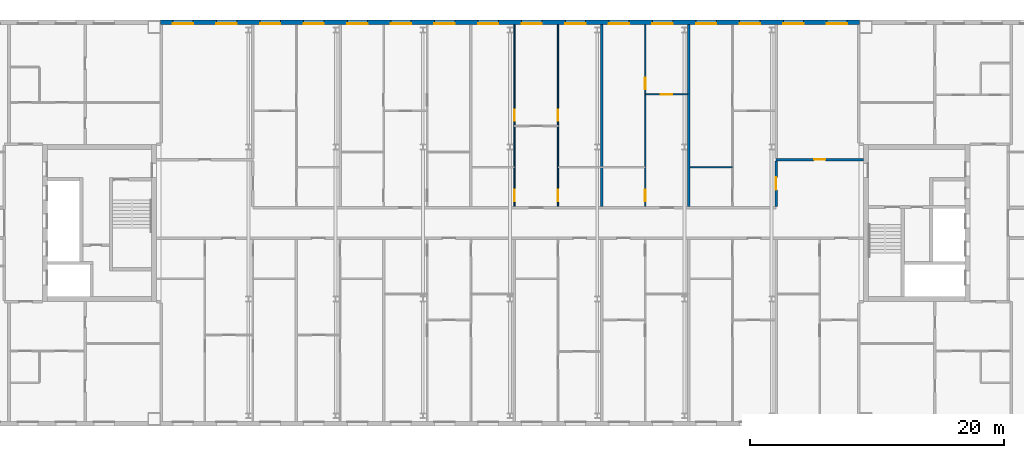
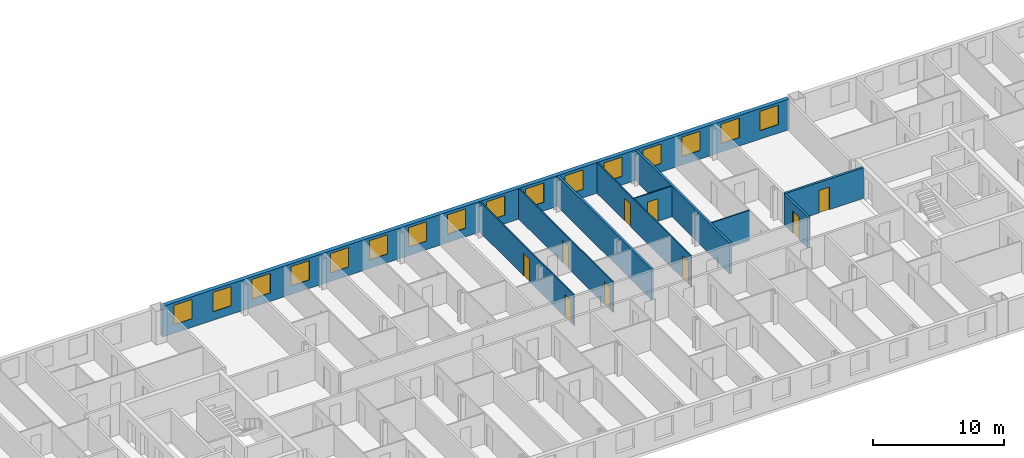
# One storey, part 12 of 19: 16 windows, 10 walls, 9 doors, 25 openings.
"""IFC4 building model written with IfcOpenShell, lengths in metres."""

import ifcopenshell
import ifcopenshell.guid

model = None  # the IFC model being written
_history = None  # IfcOwnerHistory: only IFC2X3 demands one
_inside = {}  # id of a spatial element -> (the spatial element, [elements in it])
_under = {}  # id of a project, library or spatial element -> (it, [spatial elements below it])
_declared = {}  # id of a project -> (the project, [libraries it declares])
_typed = {}  # id of a type object -> (the type object, [elements of that type])
_made_of = {}  # id of a material, layer set ... -> (it, [elements and type objects made of it])


def new_model(schema):
    """Start an empty IFC model of exactly this schema.

    Asked for "IFC4X3", IfcOpenShell would pick the latest addendum, in which some entities
    have other attributes; the version numbers below select the first issue.
    IFC2X3 requires an IfcOwnerHistory on every rooted entity: one is made here for all.
    """
    global model, _history
    if schema == "IFC4X3":
        model = ifcopenshell.file(schema_version=(4, 3, 0, 0))
    else:
        model = ifcopenshell.file(schema=schema)
    _inside.clear()
    _under.clear()
    _declared.clear()
    _typed.clear()
    _made_of.clear()
    _history = None
    if model.schema == "IFC2X3":
        org = make("IfcOrganization", Name="unknown")
        user = make(
            "IfcPersonAndOrganization",
            ThePerson=make("IfcPerson", FamilyName="unknown"),
            TheOrganization=org,
        )
        app = make(
            "IfcApplication",
            ApplicationDeveloper=org,
            Version="unknown",
            ApplicationFullName="unknown",
            ApplicationIdentifier="unknown",
        )
        _history = make(
            "IfcOwnerHistory",
            OwningUser=user,
            OwningApplication=app,
            ChangeAction="ADDED",
            CreationDate=0,
        )
    return model


def make(cls, **values):
    """One entity of the class cls with the attributes given. An attribute that is None is left unset."""
    return model.create_entity(
        cls, **{name: value for name, value in values.items() if value is not None}
    )


def rooted(cls, **values):
    """An entity with a GlobalId (a new one), such as an element, a storey or a relation."""
    return make(cls, GlobalId=ifcopenshell.guid.new(), OwnerHistory=_history, **values)


def si_unit(unit_type, name, prefix=None):
    """IfcSIUnit, for example si_unit("LENGTHUNIT", "METRE", prefix="MILLI")."""
    return make("IfcSIUnit", UnitType=unit_type, Prefix=prefix, Name=name)


def assignment(units):
    """IfcUnitAssignment: the units of a project."""
    return None if units is None else make("IfcUnitAssignment", Units=units)


def point(xyz):
    """IfcCartesianPoint."""
    return None if xyz is None else make("IfcCartesianPoint", Coordinates=xyz)


def direction(xyz):
    """IfcDirection."""
    return None if xyz is None else make("IfcDirection", DirectionRatios=xyz)


def frame(location, z_axis=None, x_axis=None):
    """IfcAxis2Placement3D, a coordinate frame: its origin and axes. An axis left out is left unset."""
    return make(
        "IfcAxis2Placement3D",
        Location=point(location),
        Axis=direction(z_axis),
        RefDirection=direction(x_axis),
    )


def frame_2d(location, x_axis=None):
    """IfcAxis2Placement2D, a coordinate frame in the plane: its origin and x axis."""
    return make(
        "IfcAxis2Placement2D", Location=point(location), RefDirection=direction(x_axis)
    )


def origin():
    """The frame at (0, 0, 0) with its axes left unset."""
    return frame((0.0, 0.0, 0.0))


def place(relative_to, where):
    """IfcLocalPlacement: puts the frame where relative to a parent placement (None: the world)."""
    return make(
        "IfcLocalPlacement", PlacementRelTo=relative_to, RelativePlacement=where
    )


def context(
    kind, dimensions, precision=None, world=None, true_north=None, identifier=None
):
    """IfcGeometricRepresentationContext, for example the 3D "Model" context."""
    return make(
        "IfcGeometricRepresentationContext",
        ContextIdentifier=identifier,
        ContextType=kind,
        CoordinateSpaceDimension=dimensions,
        Precision=precision,
        WorldCoordinateSystem=world,
        TrueNorth=true_north,
    )


def subcontext(parent, identifier, kind, view, scale=None):
    """IfcGeometricRepresentationSubContext, for example "Body" below "Model"."""
    return make(
        "IfcGeometricRepresentationSubContext",
        ContextIdentifier=identifier,
        ContextType=kind,
        ParentContext=parent,
        TargetScale=scale,
        TargetView=view,
    )


def project(units=None, contexts=None):
    """IfcProject with its units and contexts."""
    return rooted(
        "IfcProject",
        Name="project",
        RepresentationContexts=contexts,
        UnitsInContext=assignment(units),
    )


def spatial(cls, under=None, at=None, **own):
    """A site, building, storey or space (cls), placed at a placement, below another one or the project."""
    s = rooted(cls, ObjectPlacement=at, **own)
    if under is not None:
        _under.setdefault(under.id(), (under, []))[1].append(s)
    return s


def profile(cls, at=None, kind="AREA", **sizes):
    """A parametric profile (cls). Its sizes go by their IFC names, for example OverallWidth=200.0."""
    return make(cls, ProfileType=kind, Position=at, **sizes)


def rectangle(**sizes):
    """IfcRectangleProfileDef."""
    return profile("IfcRectangleProfileDef", **sizes)


def extrude(swept, where, along, depth):
    """IfcExtrudedAreaSolid: the profile swept, set in the frame where, extruded along a direction by depth."""
    return make(
        "IfcExtrudedAreaSolid",
        SweptArea=swept,
        Position=where,
        ExtrudedDirection=direction(along),
        Depth=depth,
    )


def shape(context_of_items, identifier, shape_type, items):
    """IfcShapeRepresentation: the items that make up one representation, for example the "Body"."""
    return make(
        "IfcShapeRepresentation",
        ContextOfItems=context_of_items,
        RepresentationIdentifier=identifier,
        RepresentationType=shape_type,
        Items=items,
    )


def material(Name=None, Category=None):
    """IfcMaterial."""
    return make("IfcMaterial", Name=Name, Category=Category)


def layer(
    of_material, thickness, ventilated=None, Name=None, Category=None, Priority=None
):
    """IfcMaterialLayer: one layer of a wall or slab, of a material (None: an air gap)."""
    return make(
        "IfcMaterialLayer",
        Material=of_material,
        LayerThickness=thickness,
        IsVentilated=ventilated,
        Name=Name,
        Category=Category,
        Priority=Priority,
    )


def layer_set(layers, Name=None):
    """IfcMaterialLayerSet."""
    return make("IfcMaterialLayerSet", MaterialLayers=layers, LayerSetName=Name)


def made_of(thing, what):
    """Note that an element or type object is made of a material, layer set ...; save() writes the relation."""
    if what is not None:
        _made_of.setdefault(what.id(), (what, []))[1].append(thing)
    return thing


def type_object(cls, material=None, **own):
    """A type object (cls), such as IfcWallType, which elements share."""
    return made_of(rooted(cls, **own), material)


def element(
    cls,
    number,
    at=None,
    inside=None,
    cuts=None,
    type_object=None,
    material=None,
    context=None,
    identifier="Body",
    shape_type=None,
    held_by="IfcProductDefinitionShape",
    body=None,
    shapes=None,
    **own,
):
    """One element of the class cls, such as IfcWall. Its Tag is "e" and its number.

    at: its placement. inside: the storey or other place that contains it. cuts: it is an
    opening in that element (IfcRelVoidsElement). A single representation is given by context,
    identifier, shape_type and body (its items); several are given by shapes. held_by: the class
    of the entity that holds the representations. save() writes the other relations.
    """
    e = rooted(cls, Tag="e%d" % number, ObjectPlacement=at, **own)
    if body is not None:
        shapes = [shape(context, identifier, shape_type, body)]
    if shapes is not None:
        e.Representation = make(held_by, Representations=shapes)
    if inside is not None:
        _inside.setdefault(inside.id(), (inside, []))[1].append(e)
    if cuts is not None:
        rooted(
            "IfcRelVoidsElement", RelatingBuildingElement=cuts, RelatedOpeningElement=e
        )
    if type_object is not None:
        _typed.setdefault(type_object.id(), (type_object, []))[1].append(e)
    return made_of(e, material)


def fill(opening, filler):
    """IfcRelFillsElement: the door or window that sits in an opening."""
    return rooted(
        "IfcRelFillsElement",
        RelatingOpeningElement=opening,
        RelatedBuildingElement=filler,
    )


def aggregate(whole, parts):
    """IfcRelAggregates: a whole, such as a stair, and the parts it consists of."""
    return rooted("IfcRelAggregates", RelatingObject=whole, RelatedObjects=parts)


def save(model, path):
    """Write the relations noted so far, then the file.

    IfcRelAggregates (storeys below a building ...), IfcRelContainedInSpatialStructure (elements
    in a storey), IfcRelDefinesByType, IfcRelAssociatesMaterial and IfcRelDeclares: one each for
    every whole, place, type object, material and project.
    """
    for whole, parts in _under.values():
        aggregate(whole, parts)
    for where, things in _inside.values():
        rooted(
            "IfcRelContainedInSpatialStructure",
            RelatedElements=things,
            RelatingStructure=where,
        )
    for kind, things in _typed.values():
        rooted("IfcRelDefinesByType", RelatedObjects=things, RelatingType=kind)
    for what, things in _made_of.values():
        rooted("IfcRelAssociatesMaterial", RelatedObjects=things, RelatingMaterial=what)
    for by, libraries in _declared.values():
        rooted("IfcRelDeclares", RelatingContext=by, RelatedDefinitions=libraries)
    model.write(path)


model = new_model("IFC4")

# Units and contexts
model_context = context("Model", 3, precision=1e-05, world=origin(), true_north=direction((0.0, 1.0)))
body_context = subcontext(model_context, "Body", "Model", "MODEL_VIEW")
ifc_project = project(units=[si_unit("LENGTHUNIT", "METRE"), si_unit("AREAUNIT", "SQUARE_METRE"), si_unit("VOLUMEUNIT", "CUBIC_METRE"), si_unit("PLANEANGLEUNIT", "RADIAN"), si_unit("MASSUNIT", "GRAM", prefix="KILO")], contexts=[model_context])

# Site, building, storey
site_placement = place(None, origin())
site = spatial("IfcSite", under=ifc_project, at=site_placement, CompositionType="ELEMENT")
building_placement = place(site_placement, origin())
building = spatial("IfcBuilding", under=site, at=building_placement, Name="Tuart Gate Housing", CompositionType="ELEMENT")
storey_placement = place(building_placement, frame((0.0, 0.0, 233.800048828125)))
storey = spatial("IfcBuildingStorey", under=building, at=storey_placement, Name="L66", CompositionType="ELEMENT", Elevation=233.800048828125)

# Wall, openings, windows
ifc_material_1 = material(Name="Brick", Category="masonry")
ifc_layer_1 = layer(ifc_material_1, 0.360107421875)
ifc_layer_set_1 = layer_set([ifc_layer_1], Name="Brick pier and spandrel wall 360")
wall_type_1 = type_object("IfcWallType", Name="Brick pier and spandrel wall 360", PredefinedType="STANDARD", material=ifc_layer_set_1)
wall_1_placement = place(storey_placement, frame((131.050048828125, 85.820068359375, 0.0), z_axis=(0.0, 0.0, 1.0), x_axis=(-1.0, 0.0, 0.0)))
wall_1 = element("IfcWall", 1, at=wall_1_placement, inside=storey, type_object=wall_type_1, Name="External wall BLK-N L66", PredefinedType="STANDARD", context=body_context, shape_type="SweptSolid", body=[
    extrude(rectangle(XDim=55.10009765625, YDim=0.360107421875, at=frame_2d((27.550048828125, 0.0))), origin(), (0.0, 0.0, 1.0), 2.849853515625),
])
opening_1_placement = place(wall_1_placement, frame((0.96875, 0.0, 0.800048828125)))
opening_1 = element("IfcOpeningElement", 2, at=opening_1_placement, cuts=wall_1, Name="Opening W1", PredefinedType="OPENING", context=body_context, shape_type="SweptSolid", body=[
    extrude(rectangle(XDim=1.60009765625, YDim=1.800048828125, at=frame_2d((0.800048828125, 0.89990234375))), frame((0.0, 0.18994140625, 0.0), z_axis=(0.0, -1.0, 0.0), x_axis=(1.0, 0.0, 0.0)), (0.0, 0.0, 1.0), 0.380126953125),
])
opening_2_placement = place(wall_1_placement, frame((4.40625, 0.0, 0.800048828125)))
opening_2 = element("IfcOpeningElement", 3, at=opening_2_placement, cuts=wall_1, Name="Opening W1", PredefinedType="OPENING", context=body_context, shape_type="SweptSolid", body=[
    extrude(rectangle(XDim=1.60009765625, YDim=1.800048828125, at=frame_2d((0.800048828125, 0.89990234375))), frame((0.0, 0.18994140625, 0.0), z_axis=(0.0, -1.0, 0.0), x_axis=(1.0, 0.0, 0.0)), (0.0, 0.0, 1.0), 0.380126953125),
])
opening_3_placement = place(wall_1_placement, frame((7.84375, 0.0, 0.800048828125)))
opening_3 = element("IfcOpeningElement", 4, at=opening_3_placement, cuts=wall_1, Name="Opening W1", PredefinedType="OPENING", context=body_context, shape_type="SweptSolid", body=[
    extrude(rectangle(XDim=1.60009765625, YDim=1.800048828125, at=frame_2d((0.800048828125, 0.89990234375))), frame((0.0, 0.18994140625, 0.0), z_axis=(0.0, -1.0, 0.0), x_axis=(1.0, 0.0, 0.0)), (0.0, 0.0, 1.0), 0.380126953125),
])
opening_4_placement = place(wall_1_placement, frame((11.28125, 0.0, 0.800048828125)))
opening_4 = element("IfcOpeningElement", 5, at=opening_4_placement, cuts=wall_1, Name="Opening W1", PredefinedType="OPENING", context=body_context, shape_type="SweptSolid", body=[
    extrude(rectangle(XDim=1.60009765625, YDim=1.800048828125, at=frame_2d((0.800048828125, 0.89990234375))), frame((0.0, 0.18994140625, 0.0), z_axis=(0.0, -1.0, 0.0), x_axis=(1.0, 0.0, 0.0)), (0.0, 0.0, 1.0), 0.380126953125),
])
opening_5_placement = place(wall_1_placement, frame((14.71875, 0.0, 0.800048828125)))
opening_5 = element("IfcOpeningElement", 6, at=opening_5_placement, cuts=wall_1, Name="Opening W1", PredefinedType="OPENING", context=body_context, shape_type="SweptSolid", body=[
    extrude(rectangle(XDim=1.60009765625, YDim=1.800048828125, at=frame_2d((0.800048828125, 0.89990234375))), frame((0.0, 0.18994140625, 0.0), z_axis=(0.0, -1.0, 0.0), x_axis=(1.0, 0.0, 0.0)), (0.0, 0.0, 1.0), 0.380126953125),
])
opening_6_placement = place(wall_1_placement, frame((18.15625, 0.0, 0.800048828125)))
opening_6 = element("IfcOpeningElement", 7, at=opening_6_placement, cuts=wall_1, Name="Opening W1", PredefinedType="OPENING", context=body_context, shape_type="SweptSolid", body=[
    extrude(rectangle(XDim=1.60009765625, YDim=1.800048828125, at=frame_2d((0.800048828125, 0.89990234375))), frame((0.0, 0.18994140625, 0.0), z_axis=(0.0, -1.0, 0.0), x_axis=(1.0, 0.0, 0.0)), (0.0, 0.0, 1.0), 0.380126953125),
])
opening_7_placement = place(wall_1_placement, frame((21.59375, 0.0, 0.800048828125)))
opening_7 = element("IfcOpeningElement", 8, at=opening_7_placement, cuts=wall_1, Name="Opening W1", PredefinedType="OPENING", context=body_context, shape_type="SweptSolid", body=[
    extrude(rectangle(XDim=1.60009765625, YDim=1.800048828125, at=frame_2d((0.800048828125, 0.89990234375))), frame((0.0, 0.18994140625, 0.0), z_axis=(0.0, -1.0, 0.0), x_axis=(1.0, 0.0, 0.0)), (0.0, 0.0, 1.0), 0.380126953125),
])
opening_8_placement = place(wall_1_placement, frame((25.03125, 0.0, 0.800048828125)))
opening_8 = element("IfcOpeningElement", 9, at=opening_8_placement, cuts=wall_1, Name="Opening W1", PredefinedType="OPENING", context=body_context, shape_type="SweptSolid", body=[
    extrude(rectangle(XDim=1.60009765625, YDim=1.800048828125, at=frame_2d((0.800048828125, 0.89990234375))), frame((0.0, 0.18994140625, 0.0), z_axis=(0.0, -1.0, 0.0), x_axis=(1.0, 0.0, 0.0)), (0.0, 0.0, 1.0), 0.380126953125),
])
opening_9_placement = place(wall_1_placement, frame((28.46875, 0.0, 0.800048828125)))
opening_9 = element("IfcOpeningElement", 10, at=opening_9_placement, cuts=wall_1, Name="Opening W1", PredefinedType="OPENING", context=body_context, shape_type="SweptSolid", body=[
    extrude(rectangle(XDim=1.60009765625, YDim=1.800048828125, at=frame_2d((0.800048828125, 0.89990234375))), frame((0.0, 0.18994140625, 0.0), z_axis=(0.0, -1.0, 0.0), x_axis=(1.0, 0.0, 0.0)), (0.0, 0.0, 1.0), 0.380126953125),
])
opening_10_placement = place(wall_1_placement, frame((31.90625, 0.0, 0.800048828125)))
opening_10 = element("IfcOpeningElement", 11, at=opening_10_placement, cuts=wall_1, Name="Opening W1", PredefinedType="OPENING", context=body_context, shape_type="SweptSolid", body=[
    extrude(rectangle(XDim=1.60009765625, YDim=1.800048828125, at=frame_2d((0.800048828125, 0.89990234375))), frame((0.0, 0.18994140625, 0.0), z_axis=(0.0, -1.0, 0.0), x_axis=(1.0, 0.0, 0.0)), (0.0, 0.0, 1.0), 0.380126953125),
])
opening_11_placement = place(wall_1_placement, frame((35.34375, 0.0, 0.800048828125)))
opening_11 = element("IfcOpeningElement", 12, at=opening_11_placement, cuts=wall_1, Name="Opening W1", PredefinedType="OPENING", context=body_context, shape_type="SweptSolid", body=[
    extrude(rectangle(XDim=1.60009765625, YDim=1.800048828125, at=frame_2d((0.800048828125, 0.89990234375))), frame((0.0, 0.18994140625, 0.0), z_axis=(0.0, -1.0, 0.0), x_axis=(1.0, 0.0, 0.0)), (0.0, 0.0, 1.0), 0.380126953125),
])
opening_12_placement = place(wall_1_placement, frame((38.78125, 0.0, 0.800048828125)))
opening_12 = element("IfcOpeningElement", 13, at=opening_12_placement, cuts=wall_1, Name="Opening W1", PredefinedType="OPENING", context=body_context, shape_type="SweptSolid", body=[
    extrude(rectangle(XDim=1.60009765625, YDim=1.800048828125, at=frame_2d((0.800048828125, 0.89990234375))), frame((0.0, 0.18994140625, 0.0), z_axis=(0.0, -1.0, 0.0), x_axis=(1.0, 0.0, 0.0)), (0.0, 0.0, 1.0), 0.380126953125),
])
opening_13_placement = place(wall_1_placement, frame((42.21875, 0.0, 0.800048828125)))
opening_13 = element("IfcOpeningElement", 14, at=opening_13_placement, cuts=wall_1, Name="Opening W1", PredefinedType="OPENING", context=body_context, shape_type="SweptSolid", body=[
    extrude(rectangle(XDim=1.60009765625, YDim=1.800048828125, at=frame_2d((0.800048828125, 0.89990234375))), frame((0.0, 0.18994140625, 0.0), z_axis=(0.0, -1.0, 0.0), x_axis=(1.0, 0.0, 0.0)), (0.0, 0.0, 1.0), 0.380126953125),
])
opening_14_placement = place(wall_1_placement, frame((45.65625, 0.0, 0.800048828125)))
opening_14 = element("IfcOpeningElement", 15, at=opening_14_placement, cuts=wall_1, Name="Opening W1", PredefinedType="OPENING", context=body_context, shape_type="SweptSolid", body=[
    extrude(rectangle(XDim=1.60009765625, YDim=1.800048828125, at=frame_2d((0.800048828125, 0.89990234375))), frame((0.0, 0.18994140625, 0.0), z_axis=(0.0, -1.0, 0.0), x_axis=(1.0, 0.0, 0.0)), (0.0, 0.0, 1.0), 0.380126953125),
])
opening_15_placement = place(wall_1_placement, frame((49.09375, 0.0, 0.800048828125)))
opening_15 = element("IfcOpeningElement", 16, at=opening_15_placement, cuts=wall_1, Name="Opening W1", PredefinedType="OPENING", context=body_context, shape_type="SweptSolid", body=[
    extrude(rectangle(XDim=1.60009765625, YDim=1.800048828125, at=frame_2d((0.800048828125, 0.89990234375))), frame((0.0, 0.18994140625, 0.0), z_axis=(0.0, -1.0, 0.0), x_axis=(1.0, 0.0, 0.0)), (0.0, 0.0, 1.0), 0.380126953125),
])
opening_16_placement = place(wall_1_placement, frame((52.53125, 0.0, 0.800048828125)))
opening_16 = element("IfcOpeningElement", 17, at=opening_16_placement, cuts=wall_1, Name="Opening W1", PredefinedType="OPENING", context=body_context, shape_type="SweptSolid", body=[
    extrude(rectangle(XDim=1.60009765625, YDim=1.800048828125, at=frame_2d((0.800048828125, 0.89990234375))), frame((0.0, 0.18994140625, 0.0), z_axis=(0.0, -1.0, 0.0), x_axis=(1.0, 0.0, 0.0)), (0.0, 0.0, 1.0), 0.380126953125),
])
ifc_material_2 = material(Name="Aluminium frame with clear glass", Category="aluminium")
window_type = type_object("IfcWindowType", Name="Punched window 1600 x 1800", PartitioningType="SINGLE_PANEL", PredefinedType="WINDOW", material=ifc_material_2)
window_1_placement = place(opening_1_placement, origin())
window_1 = element("IfcWindow", 18, at=window_1_placement, inside=storey, type_object=window_type, Name="Window W1", OverallHeight=1.800048828125, OverallWidth=1.60009765625, PartitioningType="SINGLE_PANEL", PredefinedType="WINDOW", context=body_context, shape_type="SweptSolid", body=[
    extrude(rectangle(XDim=1.60009765625, YDim=1.800048828125, at=frame_2d((0.800048828125, 0.89990234375))), frame((0.0, 0.150146484375, 0.0), z_axis=(0.0, -1.0, 0.0), x_axis=(1.0, 0.0, 0.0)), (0.0, 0.0, 1.0), 0.06005859375),
])
fill(opening_1, window_1)
window_2_placement = place(opening_2_placement, origin())
window_2 = element("IfcWindow", 19, at=window_2_placement, inside=storey, type_object=window_type, Name="Window W1", OverallHeight=1.800048828125, OverallWidth=1.60009765625, PartitioningType="SINGLE_PANEL", PredefinedType="WINDOW", context=body_context, shape_type="SweptSolid", body=[
    extrude(rectangle(XDim=1.60009765625, YDim=1.800048828125, at=frame_2d((0.800048828125, 0.89990234375))), frame((0.0, 0.150146484375, 0.0), z_axis=(0.0, -1.0, 0.0), x_axis=(1.0, 0.0, 0.0)), (0.0, 0.0, 1.0), 0.06005859375),
])
fill(opening_2, window_2)
window_3_placement = place(opening_3_placement, origin())
window_3 = element("IfcWindow", 20, at=window_3_placement, inside=storey, type_object=window_type, Name="Window W1", OverallHeight=1.800048828125, OverallWidth=1.60009765625, PartitioningType="SINGLE_PANEL", PredefinedType="WINDOW", context=body_context, shape_type="SweptSolid", body=[
    extrude(rectangle(XDim=1.60009765625, YDim=1.800048828125, at=frame_2d((0.800048828125, 0.89990234375))), frame((0.0, 0.150146484375, 0.0), z_axis=(0.0, -1.0, 0.0), x_axis=(1.0, 0.0, 0.0)), (0.0, 0.0, 1.0), 0.06005859375),
])
fill(opening_3, window_3)
window_4_placement = place(opening_4_placement, origin())
window_4 = element("IfcWindow", 21, at=window_4_placement, inside=storey, type_object=window_type, Name="Window W1", OverallHeight=1.800048828125, OverallWidth=1.60009765625, PartitioningType="SINGLE_PANEL", PredefinedType="WINDOW", context=body_context, shape_type="SweptSolid", body=[
    extrude(rectangle(XDim=1.60009765625, YDim=1.800048828125, at=frame_2d((0.800048828125, 0.89990234375))), frame((0.0, 0.150146484375, 0.0), z_axis=(0.0, -1.0, 0.0), x_axis=(1.0, 0.0, 0.0)), (0.0, 0.0, 1.0), 0.06005859375),
])
fill(opening_4, window_4)
window_5_placement = place(opening_5_placement, origin())
window_5 = element("IfcWindow", 22, at=window_5_placement, inside=storey, type_object=window_type, Name="Window W1", OverallHeight=1.800048828125, OverallWidth=1.60009765625, PartitioningType="SINGLE_PANEL", PredefinedType="WINDOW", context=body_context, shape_type="SweptSolid", body=[
    extrude(rectangle(XDim=1.60009765625, YDim=1.800048828125, at=frame_2d((0.800048828125, 0.89990234375))), frame((0.0, 0.150146484375, 0.0), z_axis=(0.0, -1.0, 0.0), x_axis=(1.0, 0.0, 0.0)), (0.0, 0.0, 1.0), 0.06005859375),
])
fill(opening_5, window_5)
window_6_placement = place(opening_6_placement, origin())
window_6 = element("IfcWindow", 23, at=window_6_placement, inside=storey, type_object=window_type, Name="Window W1", OverallHeight=1.800048828125, OverallWidth=1.60009765625, PartitioningType="SINGLE_PANEL", PredefinedType="WINDOW", context=body_context, shape_type="SweptSolid", body=[
    extrude(rectangle(XDim=1.60009765625, YDim=1.800048828125, at=frame_2d((0.800048828125, 0.89990234375))), frame((0.0, 0.150146484375, 0.0), z_axis=(0.0, -1.0, 0.0), x_axis=(1.0, 0.0, 0.0)), (0.0, 0.0, 1.0), 0.06005859375),
])
fill(opening_6, window_6)
window_7_placement = place(opening_7_placement, origin())
window_7 = element("IfcWindow", 24, at=window_7_placement, inside=storey, type_object=window_type, Name="Window W1", OverallHeight=1.800048828125, OverallWidth=1.60009765625, PartitioningType="SINGLE_PANEL", PredefinedType="WINDOW", context=body_context, shape_type="SweptSolid", body=[
    extrude(rectangle(XDim=1.60009765625, YDim=1.800048828125, at=frame_2d((0.800048828125, 0.89990234375))), frame((0.0, 0.150146484375, 0.0), z_axis=(0.0, -1.0, 0.0), x_axis=(1.0, 0.0, 0.0)), (0.0, 0.0, 1.0), 0.06005859375),
])
fill(opening_7, window_7)
window_8_placement = place(opening_8_placement, origin())
window_8 = element("IfcWindow", 25, at=window_8_placement, inside=storey, type_object=window_type, Name="Window W1", OverallHeight=1.800048828125, OverallWidth=1.60009765625, PartitioningType="SINGLE_PANEL", PredefinedType="WINDOW", context=body_context, shape_type="SweptSolid", body=[
    extrude(rectangle(XDim=1.60009765625, YDim=1.800048828125, at=frame_2d((0.800048828125, 0.89990234375))), frame((0.0, 0.150146484375, 0.0), z_axis=(0.0, -1.0, 0.0), x_axis=(1.0, 0.0, 0.0)), (0.0, 0.0, 1.0), 0.06005859375),
])
fill(opening_8, window_8)
window_9_placement = place(opening_9_placement, origin())
window_9 = element("IfcWindow", 26, at=window_9_placement, inside=storey, type_object=window_type, Name="Window W1", OverallHeight=1.800048828125, OverallWidth=1.60009765625, PartitioningType="SINGLE_PANEL", PredefinedType="WINDOW", context=body_context, shape_type="SweptSolid", body=[
    extrude(rectangle(XDim=1.60009765625, YDim=1.800048828125, at=frame_2d((0.800048828125, 0.89990234375))), frame((0.0, 0.150146484375, 0.0), z_axis=(0.0, -1.0, 0.0), x_axis=(1.0, 0.0, 0.0)), (0.0, 0.0, 1.0), 0.06005859375),
])
fill(opening_9, window_9)
window_10_placement = place(opening_10_placement, origin())
window_10 = element("IfcWindow", 27, at=window_10_placement, inside=storey, type_object=window_type, Name="Window W1", OverallHeight=1.800048828125, OverallWidth=1.60009765625, PartitioningType="SINGLE_PANEL", PredefinedType="WINDOW", context=body_context, shape_type="SweptSolid", body=[
    extrude(rectangle(XDim=1.60009765625, YDim=1.800048828125, at=frame_2d((0.800048828125, 0.89990234375))), frame((0.0, 0.150146484375, 0.0), z_axis=(0.0, -1.0, 0.0), x_axis=(1.0, 0.0, 0.0)), (0.0, 0.0, 1.0), 0.06005859375),
])
fill(opening_10, window_10)
window_11_placement = place(opening_11_placement, origin())
window_11 = element("IfcWindow", 28, at=window_11_placement, inside=storey, type_object=window_type, Name="Window W1", OverallHeight=1.800048828125, OverallWidth=1.60009765625, PartitioningType="SINGLE_PANEL", PredefinedType="WINDOW", context=body_context, shape_type="SweptSolid", body=[
    extrude(rectangle(XDim=1.60009765625, YDim=1.800048828125, at=frame_2d((0.800048828125, 0.89990234375))), frame((0.0, 0.150146484375, 0.0), z_axis=(0.0, -1.0, 0.0), x_axis=(1.0, 0.0, 0.0)), (0.0, 0.0, 1.0), 0.06005859375),
])
fill(opening_11, window_11)
window_12_placement = place(opening_12_placement, origin())
window_12 = element("IfcWindow", 29, at=window_12_placement, inside=storey, type_object=window_type, Name="Window W1", OverallHeight=1.800048828125, OverallWidth=1.60009765625, PartitioningType="SINGLE_PANEL", PredefinedType="WINDOW", context=body_context, shape_type="SweptSolid", body=[
    extrude(rectangle(XDim=1.60009765625, YDim=1.800048828125, at=frame_2d((0.800048828125, 0.89990234375))), frame((0.0, 0.150146484375, 0.0), z_axis=(0.0, -1.0, 0.0), x_axis=(1.0, 0.0, 0.0)), (0.0, 0.0, 1.0), 0.06005859375),
])
fill(opening_12, window_12)
window_13_placement = place(opening_13_placement, origin())
window_13 = element("IfcWindow", 30, at=window_13_placement, inside=storey, type_object=window_type, Name="Window W1", OverallHeight=1.800048828125, OverallWidth=1.60009765625, PartitioningType="SINGLE_PANEL", PredefinedType="WINDOW", context=body_context, shape_type="SweptSolid", body=[
    extrude(rectangle(XDim=1.60009765625, YDim=1.800048828125, at=frame_2d((0.800048828125, 0.89990234375))), frame((0.0, 0.150146484375, 0.0), z_axis=(0.0, -1.0, 0.0), x_axis=(1.0, 0.0, 0.0)), (0.0, 0.0, 1.0), 0.06005859375),
])
fill(opening_13, window_13)
window_14_placement = place(opening_14_placement, origin())
window_14 = element("IfcWindow", 31, at=window_14_placement, inside=storey, type_object=window_type, Name="Window W1", OverallHeight=1.800048828125, OverallWidth=1.60009765625, PartitioningType="SINGLE_PANEL", PredefinedType="WINDOW", context=body_context, shape_type="SweptSolid", body=[
    extrude(rectangle(XDim=1.60009765625, YDim=1.800048828125, at=frame_2d((0.800048828125, 0.89990234375))), frame((0.0, 0.150146484375, 0.0), z_axis=(0.0, -1.0, 0.0), x_axis=(1.0, 0.0, 0.0)), (0.0, 0.0, 1.0), 0.06005859375),
])
fill(opening_14, window_14)
window_15_placement = place(opening_15_placement, origin())
window_15 = element("IfcWindow", 32, at=window_15_placement, inside=storey, type_object=window_type, Name="Window W1", OverallHeight=1.800048828125, OverallWidth=1.60009765625, PartitioningType="SINGLE_PANEL", PredefinedType="WINDOW", context=body_context, shape_type="SweptSolid", body=[
    extrude(rectangle(XDim=1.60009765625, YDim=1.800048828125, at=frame_2d((0.800048828125, 0.89990234375))), frame((0.0, 0.150146484375, 0.0), z_axis=(0.0, -1.0, 0.0), x_axis=(1.0, 0.0, 0.0)), (0.0, 0.0, 1.0), 0.06005859375),
])
fill(opening_15, window_15)
window_16_placement = place(opening_16_placement, origin())
window_16 = element("IfcWindow", 33, at=window_16_placement, inside=storey, type_object=window_type, Name="Window W1", OverallHeight=1.800048828125, OverallWidth=1.60009765625, PartitioningType="SINGLE_PANEL", PredefinedType="WINDOW", context=body_context, shape_type="SweptSolid", body=[
    extrude(rectangle(XDim=1.60009765625, YDim=1.800048828125, at=frame_2d((0.800048828125, 0.89990234375))), frame((0.0, 0.150146484375, 0.0), z_axis=(0.0, -1.0, 0.0), x_axis=(1.0, 0.0, 0.0)), (0.0, 0.0, 1.0), 0.06005859375),
])
fill(opening_16, window_16)

# Wall, opening, door
ifc_material_3 = material(Name="Concrete masonry 15 MPa", Category="masonry")
ifc_layer_2 = layer(ifc_material_3, 0.199951171875)
ifc_layer_set_2 = layer_set([ifc_layer_2], Name="Corridor wall masonry 200")
wall_type_2 = type_object("IfcWallType", Name="Corridor wall masonry 200", PredefinedType="PARTITIONING", material=ifc_layer_set_2)
wall_2_placement = place(storey_placement, frame((124.47509765625, 75.0, 0.0), z_axis=(0.0, 0.0, 1.0), x_axis=(1.0, 0.0, 0.0)))
wall_2 = element("IfcWall", 34, at=wall_2_placement, inside=storey, type_object=wall_type_2, Name="Corridor wall masonry 200", PredefinedType="PARTITIONING", context=body_context, shape_type="SweptSolid", body=[
    extrude(rectangle(XDim=6.885009765625, YDim=0.199951171875, at=frame_2d((3.4423828125, 0.0))), origin(), (0.0, 0.0, 1.0), 2.849853515625),
])
opening_17_placement = place(wall_2_placement, frame((2.992431640625, 0.0, 0.0)))
opening_17 = element("IfcOpeningElement", 35, at=opening_17_placement, cuts=wall_2, Name="Opening D2519", PredefinedType="OPENING", context=body_context, shape_type="SweptSolid", body=[
    extrude(rectangle(XDim=0.89990234375, YDim=2.10009765625, at=frame_2d((0.449951171875, 1.050048828125))), frame((0.0, 0.10986328125, 0.0), z_axis=(0.0, -1.0, 0.0), x_axis=(1.0, 0.0, 0.0)), (0.0, 0.0, 1.0), 0.219970703125),
])
ifc_material_4 = material(Name="Timber door leaf in steel frame", Category="steel")
door_type_1 = type_object("IfcDoorType", Name="Internal door 900", OperationType="SINGLE_SWING_LEFT", PredefinedType="DOOR", material=ifc_material_4)
door_1_placement = place(opening_17_placement, origin())
door_1 = element("IfcDoor", 36, at=door_1_placement, inside=storey, type_object=door_type_1, Name="Internal door", OperationType="SINGLE_SWING_LEFT", OverallHeight=2.10009765625, OverallWidth=0.89990234375, PredefinedType="DOOR", context=body_context, shape_type="SweptSolid", body=[
    extrude(rectangle(XDim=0.89990234375, YDim=2.10009765625, at=frame_2d((0.449951171875, 1.050048828125))), frame((0.0, 0.02490234375, 0.0), z_axis=(0.0, -1.0, 0.0), x_axis=(1.0, 0.0, 0.0)), (0.0, 0.0, 1.0), 0.050048828125),
])
fill(opening_17, door_1)

wall_3_placement = place(storey_placement, frame((124.47509765625, 71.300048828125, 0.0), z_axis=(0.0, 0.0, 1.0), x_axis=(0.0, 1.0, 0.0)))
wall_3 = element("IfcWall", 37, at=wall_3_placement, inside=storey, type_object=wall_type_2, Name="Corridor wall masonry 200", PredefinedType="PARTITIONING", context=body_context, shape_type="SweptSolid", body=[
    extrude(rectangle(XDim=3.599853515625, YDim=0.199951171875, at=frame_2d((1.7998046875, 0.0))), origin(), (0.0, 0.0, 1.0), 2.849853515625),
])
opening_18_placement = place(wall_3_placement, frame((1.300048828125, 0.0, 0.0)))
opening_18 = element("IfcOpeningElement", 38, at=opening_18_placement, cuts=wall_3, Name="Opening D2521", PredefinedType="OPENING", context=body_context, shape_type="SweptSolid", body=[
    extrude(rectangle(XDim=1.0, YDim=2.10009765625, at=frame_2d((0.5, 1.050048828125))), frame((0.0, 0.10986328125, 0.0), z_axis=(0.0, -1.0, 0.0), x_axis=(1.0, 0.0, 0.0)), (0.0, 0.0, 1.0), 0.219970703125),
])
ifc_material_5 = material(Name="Timber door leaf in steel frame", Category="steel")
door_type_2 = type_object("IfcDoorType", Name="Flat entrance door 1000", OperationType="SINGLE_SWING_LEFT", PredefinedType="DOOR", material=ifc_material_5)
door_2_placement = place(opening_18_placement, origin())
door_2 = element("IfcDoor", 39, at=door_2_placement, inside=storey, type_object=door_type_2, Name="Flat entrance door", OperationType="SINGLE_SWING_LEFT", OverallHeight=2.10009765625, OverallWidth=1.0, PredefinedType="DOOR", context=body_context, shape_type="SweptSolid", body=[
    extrude(rectangle(XDim=1.0, YDim=2.10009765625, at=frame_2d((0.5, 1.050048828125))), frame((0.0, 0.02490234375, 0.0), z_axis=(0.0, -1.0, 0.0), x_axis=(1.0, 0.0, 0.0)), (0.0, 0.0, 1.0), 0.050048828125),
])
fill(opening_18, door_2)

# Wall
ifc_material_6 = material(Name="Gypsum board on steel studs", Category="steel")
ifc_layer_3 = layer(ifc_material_6, 0.10009765625)
ifc_layer_set_3 = layer_set([ifc_layer_3], Name="Partition 100")
wall_type_3 = type_object("IfcWallType", Name="Partition 100", PredefinedType="PARTITIONING", material=ifc_layer_set_3)
wall_4_placement = place(storey_placement, frame((117.699951171875, 74.39990234375, 0.0), z_axis=(0.0, 0.0, 1.0), x_axis=(1.0, 0.0, 0.0)))
element("IfcWall", 40, at=wall_4_placement, inside=storey, type_object=wall_type_3, Name="Partition 100", PredefinedType="PARTITIONING", context=body_context, shape_type="SweptSolid", body=[
    extrude(rectangle(XDim=3.337158203125, YDim=0.10009765625, at=frame_2d((1.66845703125, 0.0))), origin(), (0.0, 0.0, 1.0), 2.849853515625),
])

# Wall, opening, door
wall_5_placement = place(storey_placement, frame((114.162109375, 80.139892578125, 0.0), z_axis=(0.0, 0.0, 1.0), x_axis=(1.0, 0.0, 0.0)))
wall_5 = element("IfcWall", 41, at=wall_5_placement, inside=storey, type_object=wall_type_3, Name="Partition 100", PredefinedType="PARTITIONING", context=body_context, shape_type="SweptSolid", body=[
    extrude(rectangle(XDim=3.337890625, YDim=0.10009765625, at=frame_2d((1.6689453125, 0.0))), origin(), (0.0, 0.0, 1.0), 2.849853515625),
])
opening_19_placement = place(wall_5_placement, frame((1.218994140625, 0.0, 0.0)))
opening_19 = element("IfcOpeningElement", 42, at=opening_19_placement, cuts=wall_5, Name="Opening D2499", PredefinedType="OPENING", context=body_context, shape_type="SweptSolid", body=[
    extrude(rectangle(XDim=0.89990234375, YDim=2.10009765625, at=frame_2d((0.449951171875, 1.050048828125))), frame((0.0, 0.06005859375, 0.0), z_axis=(0.0, -1.0, 0.0), x_axis=(1.0, 0.0, 0.0)), (0.0, 0.0, 1.0), 0.1201171875),
])
ifc_material_7 = material(Name="Timber door leaf in steel frame", Category="steel")
door_type_3 = type_object("IfcDoorType", Name="Internal door 900 RH", OperationType="SINGLE_SWING_RIGHT", PredefinedType="DOOR", material=ifc_material_7)
door_3_placement = place(opening_19_placement, frame((0.89990234375, 0.0, 0.0), z_axis=(0.0, 0.0, 1.0), x_axis=(-1.0, 0.0, 0.0)))
door_3 = element("IfcDoor", 43, at=door_3_placement, inside=storey, type_object=door_type_3, Name="Internal door", OperationType="SINGLE_SWING_RIGHT", OverallHeight=2.10009765625, OverallWidth=0.89990234375, PredefinedType="DOOR", context=body_context, shape_type="SweptSolid", body=[
    extrude(rectangle(XDim=0.89990234375, YDim=2.10009765625, at=frame_2d((0.449951171875, 1.050048828125))), frame((0.0, 0.025146484375, 0.0), z_axis=(0.0, -1.0, 0.0), x_axis=(1.0, 0.0, 0.0)), (0.0, 0.0, 1.0), 0.050048828125),
])
fill(opening_19, door_3)

# Wall, openings, doors
wall_6_placement = place(storey_placement, frame((103.85009765625, 71.300048828125, 0.0), z_axis=(0.0, 0.0, 1.0), x_axis=(0.0, 1.0, 0.0)))
wall_6 = element("IfcWall", 44, at=wall_6_placement, inside=storey, type_object=wall_type_3, Name="Partition 100", PredefinedType="PARTITIONING", context=body_context, shape_type="SweptSolid", body=[
    extrude(rectangle(XDim=14.33984375, YDim=0.10009765625, at=frame_2d((7.169921875, 0.0))), origin(), (0.0, 0.0, 1.0), 2.849853515625),
])
opening_20_placement = place(wall_6_placement, frame((6.739990234375, 0.0, 0.0)))
opening_20 = element("IfcOpeningElement", 45, at=opening_20_placement, cuts=wall_6, Name="Opening D2510", PredefinedType="OPENING", context=body_context, shape_type="SweptSolid", body=[
    extrude(rectangle(XDim=0.89990234375, YDim=2.10009765625, at=frame_2d((0.449951171875, 1.050048828125))), frame((0.0, 0.06005859375, 0.0), z_axis=(0.0, -1.0, 0.0), x_axis=(1.0, 0.0, 0.0)), (0.0, 0.0, 1.0), 0.1201171875),
])
opening_21_placement = place(wall_6_placement, frame((0.39990234375, 0.0, 0.0)))
opening_21 = element("IfcOpeningElement", 46, at=opening_21_placement, cuts=wall_6, Name="Opening D2509", PredefinedType="OPENING", context=body_context, shape_type="SweptSolid", body=[
    extrude(rectangle(XDim=0.89990234375, YDim=2.10009765625, at=frame_2d((0.449951171875, 1.050048828125))), frame((0.0, 0.06005859375, 0.0), z_axis=(0.0, -1.0, 0.0), x_axis=(1.0, 0.0, 0.0)), (0.0, 0.0, 1.0), 0.1201171875),
])
ifc_material_8 = material(Name="Timber door leaf in steel frame", Category="steel")
door_type_4 = type_object("IfcDoorType", Name="Bathroom door 900", OperationType="SINGLE_SWING_LEFT", PredefinedType="DOOR", material=ifc_material_8)
door_4_placement = place(opening_21_placement, origin())
door_4 = element("IfcDoor", 47, at=door_4_placement, inside=storey, type_object=door_type_4, Name="Bathroom door", OperationType="SINGLE_SWING_LEFT", OverallHeight=2.10009765625, OverallWidth=0.89990234375, PredefinedType="DOOR", context=body_context, shape_type="SweptSolid", body=[
    extrude(rectangle(XDim=0.89990234375, YDim=2.10009765625, at=frame_2d((0.449951171875, 1.050048828125))), frame((0.0, 0.02490234375, 0.0), z_axis=(0.0, -1.0, 0.0), x_axis=(1.0, 0.0, 0.0)), (0.0, 0.0, 1.0), 0.050048828125),
])
fill(opening_21, door_4)
door_5_placement = place(opening_20_placement, origin())
door_5 = element("IfcDoor", 48, at=door_5_placement, inside=storey, type_object=door_type_1, Name="Internal door", OperationType="SINGLE_SWING_LEFT", OverallHeight=2.10009765625, OverallWidth=0.89990234375, PredefinedType="DOOR", context=body_context, shape_type="SweptSolid", body=[
    extrude(rectangle(XDim=0.89990234375, YDim=2.10009765625, at=frame_2d((0.449951171875, 1.050048828125))), frame((0.0, 0.02490234375, 0.0), z_axis=(0.0, -1.0, 0.0), x_axis=(1.0, 0.0, 0.0)), (0.0, 0.0, 1.0), 0.050048828125),
])
fill(opening_20, door_5)

wall_7_placement = place(storey_placement, frame((107.287109375, 71.300048828125, 0.0), z_axis=(0.0, 0.0, 1.0), x_axis=(0.0, 1.0, 0.0)))
wall_7 = element("IfcWall", 49, at=wall_7_placement, inside=storey, type_object=wall_type_3, Name="Partition 100", PredefinedType="PARTITIONING", context=body_context, shape_type="SweptSolid", body=[
    extrude(rectangle(XDim=14.33984375, YDim=0.10009765625, at=frame_2d((7.169921875, 0.0))), origin(), (0.0, 0.0, 1.0), 2.849853515625),
])
opening_22_placement = place(wall_7_placement, frame((6.739990234375, 0.0, 0.0)))
opening_22 = element("IfcOpeningElement", 50, at=opening_22_placement, cuts=wall_7, Name="Opening D2512", PredefinedType="OPENING", context=body_context, shape_type="SweptSolid", body=[
    extrude(rectangle(XDim=0.89990234375, YDim=2.10009765625, at=frame_2d((0.449951171875, 1.050048828125))), frame((0.0, 0.06005859375, 0.0), z_axis=(0.0, -1.0, 0.0), x_axis=(1.0, 0.0, 0.0)), (0.0, 0.0, 1.0), 0.1201171875),
])
opening_23_placement = place(wall_7_placement, frame((0.39990234375, 0.0, 0.0)))
opening_23 = element("IfcOpeningElement", 51, at=opening_23_placement, cuts=wall_7, Name="Opening D2511", PredefinedType="OPENING", context=body_context, shape_type="SweptSolid", body=[
    extrude(rectangle(XDim=0.89990234375, YDim=2.10009765625, at=frame_2d((0.449951171875, 1.050048828125))), frame((0.0, 0.06005859375, 0.0), z_axis=(0.0, -1.0, 0.0), x_axis=(1.0, 0.0, 0.0)), (0.0, 0.0, 1.0), 0.1201171875),
])
ifc_material_9 = material(Name="Timber door leaf in steel frame", Category="steel")
door_type_5 = type_object("IfcDoorType", Name="Bathroom door 900 RH", OperationType="SINGLE_SWING_RIGHT", PredefinedType="DOOR", material=ifc_material_9)
door_6_placement = place(opening_23_placement, frame((0.89990234375, 0.0, 0.0), z_axis=(0.0, 0.0, 1.0), x_axis=(-1.0, 0.0, 0.0)))
door_6 = element("IfcDoor", 52, at=door_6_placement, inside=storey, type_object=door_type_5, Name="Bathroom door", OperationType="SINGLE_SWING_RIGHT", OverallHeight=2.10009765625, OverallWidth=0.89990234375, PredefinedType="DOOR", context=body_context, shape_type="SweptSolid", body=[
    extrude(rectangle(XDim=0.89990234375, YDim=2.10009765625, at=frame_2d((0.449951171875, 1.050048828125))), frame((0.0, 0.025146484375, 0.0), z_axis=(0.0, -1.0, 0.0), x_axis=(1.0, 0.0, 0.0)), (0.0, 0.0, 1.0), 0.050048828125),
])
fill(opening_23, door_6)
door_7_placement = place(opening_22_placement, frame((0.89990234375, 0.0, 0.0), z_axis=(0.0, 0.0, 1.0), x_axis=(-1.0, 0.0, 0.0)))
door_7 = element("IfcDoor", 53, at=door_7_placement, inside=storey, type_object=door_type_3, Name="Internal door", OperationType="SINGLE_SWING_RIGHT", OverallHeight=2.10009765625, OverallWidth=0.89990234375, PredefinedType="DOOR", context=body_context, shape_type="SweptSolid", body=[
    extrude(rectangle(XDim=0.89990234375, YDim=2.10009765625, at=frame_2d((0.449951171875, 1.050048828125))), frame((0.0, 0.025146484375, 0.0), z_axis=(0.0, -1.0, 0.0), x_axis=(1.0, 0.0, 0.0)), (0.0, 0.0, 1.0), 0.050048828125),
])
fill(opening_22, door_7)

wall_8_placement = place(storey_placement, frame((114.162109375, 71.300048828125, 0.0), z_axis=(0.0, 0.0, 1.0), x_axis=(0.0, 1.0, 0.0)))
wall_8 = element("IfcWall", 54, at=wall_8_placement, inside=storey, type_object=wall_type_3, Name="Partition 100", PredefinedType="PARTITIONING", context=body_context, shape_type="SweptSolid", body=[
    extrude(rectangle(XDim=14.33984375, YDim=0.10009765625, at=frame_2d((7.169921875, 0.0))), origin(), (0.0, 0.0, 1.0), 2.849853515625),
])
opening_24_placement = place(wall_8_placement, frame((9.239990234375, 0.0, 0.0)))
opening_24 = element("IfcOpeningElement", 55, at=opening_24_placement, cuts=wall_8, Name="Opening D2514", PredefinedType="OPENING", context=body_context, shape_type="SweptSolid", body=[
    extrude(rectangle(XDim=0.89990234375, YDim=2.10009765625, at=frame_2d((0.449951171875, 1.050048828125))), frame((0.0, 0.06005859375, 0.0), z_axis=(0.0, -1.0, 0.0), x_axis=(1.0, 0.0, 0.0)), (0.0, 0.0, 1.0), 0.1201171875),
])
opening_25_placement = place(wall_8_placement, frame((0.39990234375, 0.0, 0.0)))
opening_25 = element("IfcOpeningElement", 56, at=opening_25_placement, cuts=wall_8, Name="Opening D2513", PredefinedType="OPENING", context=body_context, shape_type="SweptSolid", body=[
    extrude(rectangle(XDim=0.89990234375, YDim=2.10009765625, at=frame_2d((0.449951171875, 1.050048828125))), frame((0.0, 0.06005859375, 0.0), z_axis=(0.0, -1.0, 0.0), x_axis=(1.0, 0.0, 0.0)), (0.0, 0.0, 1.0), 0.1201171875),
])
door_8_placement = place(opening_25_placement, origin())
door_8 = element("IfcDoor", 57, at=door_8_placement, inside=storey, type_object=door_type_4, Name="Bathroom door", OperationType="SINGLE_SWING_LEFT", OverallHeight=2.10009765625, OverallWidth=0.89990234375, PredefinedType="DOOR", context=body_context, shape_type="SweptSolid", body=[
    extrude(rectangle(XDim=0.89990234375, YDim=2.10009765625, at=frame_2d((0.449951171875, 1.050048828125))), frame((0.0, 0.02490234375, 0.0), z_axis=(0.0, -1.0, 0.0), x_axis=(1.0, 0.0, 0.0)), (0.0, 0.0, 1.0), 0.050048828125),
])
fill(opening_25, door_8)
door_9_placement = place(opening_24_placement, origin())
door_9 = element("IfcDoor", 58, at=door_9_placement, inside=storey, type_object=door_type_3, Name="Internal door", OperationType="SINGLE_SWING_RIGHT", OverallHeight=2.10009765625, OverallWidth=0.89990234375, PredefinedType="DOOR", context=body_context, shape_type="SweptSolid", body=[
    extrude(rectangle(XDim=0.89990234375, YDim=2.10009765625, at=frame_2d((0.449951171875, 1.050048828125))), frame((0.0, 0.02490234375, 0.0), z_axis=(0.0, -1.0, 0.0), x_axis=(1.0, 0.0, 0.0)), (0.0, 0.0, 1.0), 0.050048828125),
])
fill(opening_24, door_9)

# Walls
ifc_material_10 = material(Name="Concrete masonry 15 MPa", Category="masonry")
ifc_layer_4 = layer(ifc_material_10, 0.199951171875)
ifc_layer_set_4 = layer_set([ifc_layer_4], Name="Party wall masonry 200")
wall_type_4 = type_object("IfcWallType", Name="Party wall masonry 200", PredefinedType="PARTITIONING", material=ifc_layer_set_4)
for number, where, z_axis, x_axis, name in (
    (59, (110.72509765625, 71.300048828125, 0.0), (0.0, 0.0, 1.0), (0.0, 1.0, 0.0), "Party wall masonry 200"),
    (60, (117.60009765625, 71.300048828125, 0.0), (0.0, 0.0, 1.0), (0.0, 1.0, 0.0), "Party wall masonry 200"),
):
    element("IfcWall", number, at=place(storey_placement, frame(where, z_axis=z_axis, x_axis=x_axis)), inside=storey, type_object=wall_type_4, Name=name, PredefinedType="PARTITIONING", context=body_context, shape_type="SweptSolid", body=[
        extrude(rectangle(XDim=14.33984375, YDim=0.199951171875, at=frame_2d((7.169921875, 0.0))), origin(), (0.0, 0.0, 1.0), 2.849853515625),
    ])

save(model, "model.ifc")
